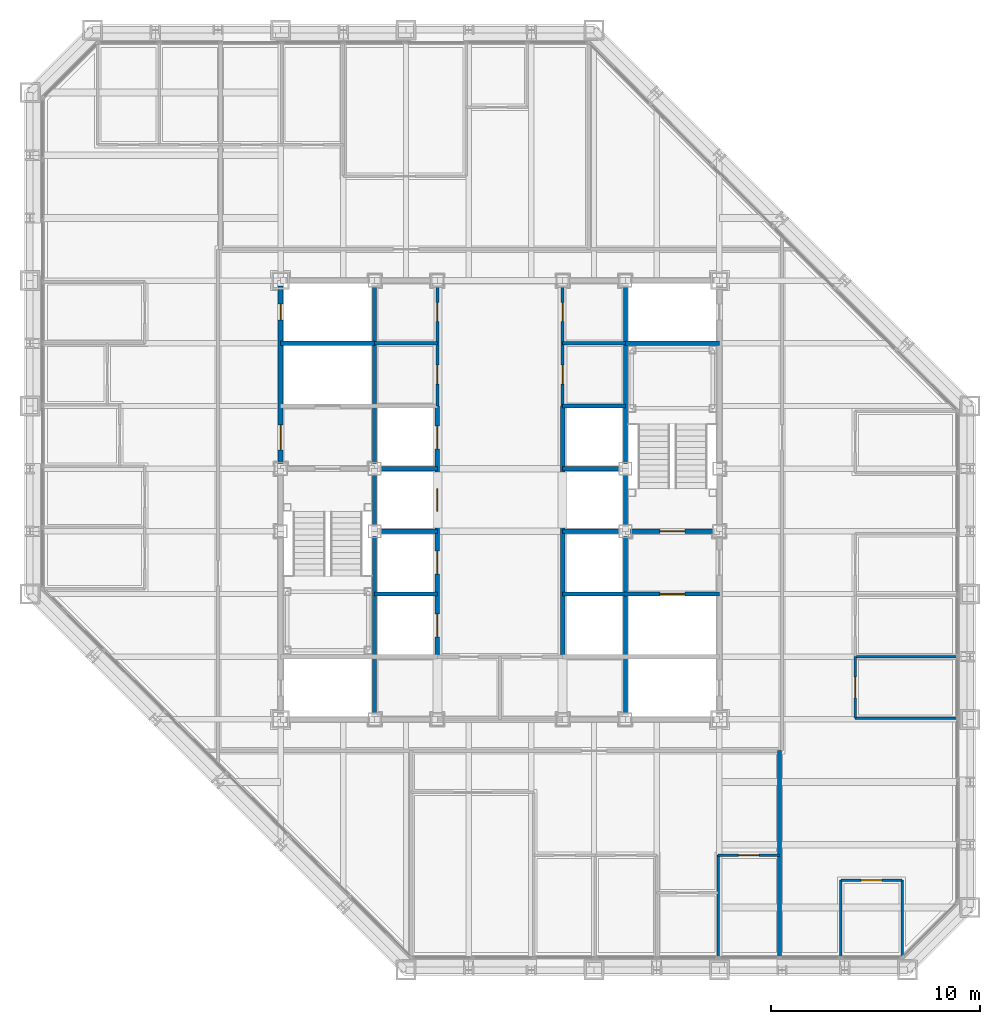
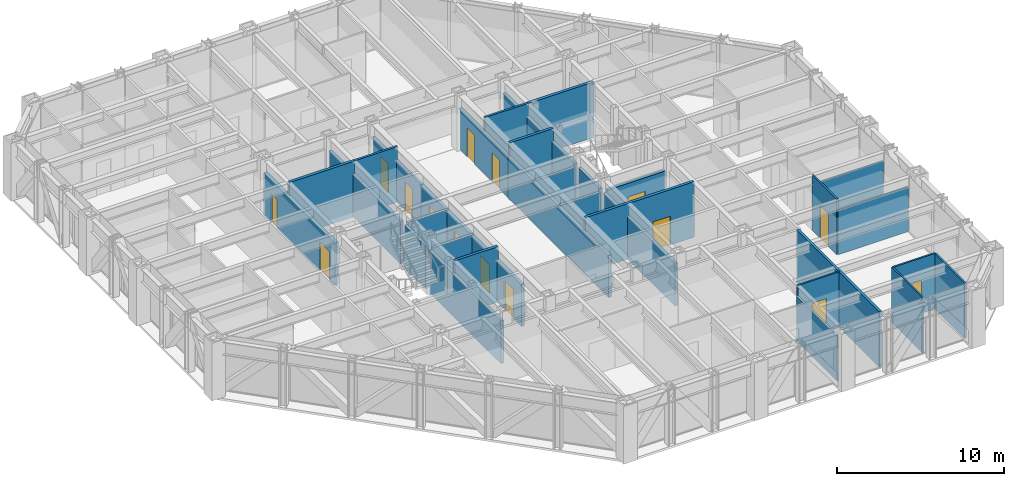
# One storey, part 11 of 16: 32 walls, 15 doors, 15 openings.
"""IFC4 building model written with IfcOpenShell, lengths in metres."""

from ifc_helpers import new_model, si_unit, direction, frame, frame_2d, origin, place, context, subcontext, project, spatial, rectangle, extrude, material, layer, layer_set, type_object, element, fill, save


model = new_model("IFC4")

# Units and contexts
model_context = context("Model", 3, precision=1e-05, world=origin(), true_north=direction((0.0, 1.0)))
body_context = subcontext(model_context, "Body", "Model", "MODEL_VIEW")
ifc_project = project(units=[si_unit("LENGTHUNIT", "METRE"), si_unit("AREAUNIT", "SQUARE_METRE"), si_unit("VOLUMEUNIT", "CUBIC_METRE"), si_unit("PLANEANGLEUNIT", "RADIAN"), si_unit("MASSUNIT", "GRAM", prefix="KILO")], contexts=[model_context])

# Site, building, storey
site_placement = place(None, origin())
site = spatial("IfcSite", under=ifc_project, at=site_placement, CompositionType="ELEMENT")
building_placement = place(site_placement, origin())
building = spatial("IfcBuilding", under=site, at=building_placement, Name="Chuquiago Exchange Tower", CompositionType="ELEMENT")
storey_placement = place(building_placement, frame((0.0, 0.0, 144.60009765625)))
storey = spatial("IfcBuildingStorey", under=building, at=storey_placement, Name="L31", CompositionType="ELEMENT", Elevation=144.60009765625)

# Wall, openings, doors
ifc_material_1 = material(Name="Concrete masonry, fully grouted", Category="masonry")
ifc_layer_1 = layer(ifc_material_1, 0.25)
ifc_layer_set_1 = layer_set([ifc_layer_1], Name="W1 core wall 250")
wall_type_1 = type_object("IfcWallType", Name="W1 core wall 250", PredefinedType="SOLIDWALL", material=ifc_layer_set_1)
wall_1_placement = place(storey_placement, frame((12.0, 24.25, 0.0), z_axis=(0.0, 0.0, 1.0), x_axis=(0.0, 1.0, 0.0)))
wall_1 = element("IfcWall", 1, at=wall_1_placement, inside=storey, type_object=wall_type_1, Name="CW-L31-00-2", PredefinedType="SOLIDWALL", context=body_context, shape_type="SweptSolid", body=[
    extrude(rectangle(XDim=8.5, YDim=0.25, at=frame_2d((4.25, 0.0))), origin(), (0.0, 0.0, 1.0), 3.11279296875),
])
opening_1_placement = place(wall_1_placement, frame((0.64990234375, 0.0, 0.0)))
opening_1 = element("IfcOpeningElement", 2, at=opening_1_placement, cuts=wall_1, Name="Opening L31-002", PredefinedType="OPENING", context=body_context, shape_type="SweptSolid", body=[
    extrude(rectangle(XDim=1.199951171875, YDim=2.10009765625, at=frame_2d((0.60009765625, 1.050048828125))), frame((0.0, 0.135009765625, 0.0), z_axis=(0.0, -1.0, 0.0), x_axis=(1.0, 0.0, 0.0)), (0.0, 0.0, 1.0), 0.27001953125),
])
opening_2_placement = place(wall_1_placement, frame((6.875, 0.0, 0.0)))
opening_2 = element("IfcOpeningElement", 3, at=opening_2_placement, cuts=wall_1, Name="Opening L31-008", PredefinedType="OPENING", context=body_context, shape_type="SweptSolid", body=[
    extrude(rectangle(XDim=0.75, YDim=2.10009765625, at=frame_2d((0.375, 1.050048828125))), frame((0.0, 0.135009765625, 0.0), z_axis=(0.0, -1.0, 0.0), x_axis=(1.0, 0.0, 0.0)), (0.0, 0.0, 1.0), 0.27001953125),
])
ifc_material_2 = material(Name="Steel door, painted", Category="steel")
door_type_1 = type_object("IfcDoorType", Name="D5 firefighting lobby door 1200x2100", OperationType="SINGLE_SWING_LEFT", PredefinedType="DOOR", material=ifc_material_2)
door_1_placement = place(opening_1_placement, frame((1.199951171875, 0.0, 0.0), z_axis=(0.0, 0.0, 1.0), x_axis=(-1.0, 0.0, 0.0)))
door_1 = element("IfcDoor", 4, at=door_1_placement, inside=storey, type_object=door_type_1, Name="Firefighting lobby 1 door", OperationType="SINGLE_SWING_RIGHT", OverallHeight=2.10009765625, OverallWidth=1.199951171875, PredefinedType="DOOR", context=body_context, shape_type="SweptSolid", body=[
    extrude(rectangle(XDim=1.199951171875, YDim=2.10009765625, at=frame_2d((0.60009765625, 1.050048828125))), frame((0.0, 0.02490234375, 0.0), z_axis=(0.0, -1.0, 0.0), x_axis=(1.0, 0.0, 0.0)), (0.0, 0.0, 1.0), 0.050048828125),
])
fill(opening_1, door_1)
ifc_material_3 = material(Name="Steel door, painted", Category="steel")
door_type_2 = type_object("IfcDoorType", Name="D6 riser access door 750x2100", OperationType="SINGLE_SWING_LEFT", PredefinedType="DOOR", material=ifc_material_3)
door_2_placement = place(opening_2_placement, origin())
door_2 = element("IfcDoor", 5, at=door_2_placement, inside=storey, type_object=door_type_2, Name="Riser RW2 door", OperationType="SINGLE_SWING_RIGHT", OverallHeight=2.10009765625, OverallWidth=0.75, PredefinedType="DOOR", context=body_context, shape_type="SweptSolid", body=[
    extrude(rectangle(XDim=0.75, YDim=2.10009765625, at=frame_2d((0.375, 1.050048828125))), frame((0.0, 0.02490234375, 0.0), z_axis=(0.0, -1.0, 0.0), x_axis=(1.0, 0.0, 0.0)), (0.0, 0.0, 1.0), 0.050048828125),
])
fill(opening_2, door_2)

# Walls
ifc_material_4 = material(Name="Gypsum board on twin steel studs, acoustic insulation", Category="steel")
ifc_layer_2 = layer(ifc_material_4, 0.175048828125)
ifc_layer_set_2 = layer_set([ifc_layer_2], Name="W12 tenant demising wall 175")
wall_type_2 = type_object("IfcWallType", Name="W12 tenant demising wall 175", PredefinedType="PARTITIONING", material=ifc_layer_set_2)
wall_2_placement = place(storey_placement, frame((35.875732421875, 0.652587890625, 0.0), z_axis=(0.0, 0.0, 1.0), x_axis=(0.0, 1.0, 0.0)))
element("IfcWall", 6, at=wall_2_placement, inside=storey, type_object=wall_type_2, Name="PW-L31-DS03588", PredefinedType="PARTITIONING", context=body_context, shape_type="SweptSolid", body=[
    extrude(rectangle(XDim=9.847412109375, YDim=0.175048828125, at=frame_2d((4.923828125, 0.0))), origin(), (0.0, 0.0, 1.0), 4.039794921875),
])
ifc_material_5 = material(Name="Concrete masonry, fully grouted", Category="masonry")
ifc_layer_3 = layer(ifc_material_5, 0.199951171875)
ifc_layer_set_3 = layer_set([ifc_layer_3], Name="W2 shaft wall 200")
wall_type_3 = type_object("IfcWallType", Name="W2 shaft wall 200", PredefinedType="SOLIDWALL", material=ifc_layer_set_3)
for number, where, z_axis, x_axis, name in (
    (7, (16.75, 24.0, 0.0), (0.0, 0.0, 1.0), (1.0, 0.0, 0.0), "CW-L31-05-1"),
    (8, (25.5, 24.0, 0.0), (0.0, 0.0, 1.0), (1.0, 0.0, 0.0), "CW-L31-06-0"),
):
    element("IfcWall", number, at=place(storey_placement, frame(where, z_axis=z_axis, x_axis=x_axis)), inside=storey, type_object=wall_type_3, Name=name, PredefinedType="SOLIDWALL", context=body_context, shape_type="SweptSolid", body=[
        extrude(rectangle(XDim=2.75, YDim=0.199951171875, at=frame_2d((1.375, 0.0))), origin(), (0.0, 0.0, 1.0), 3.08984375),
    ])
wall_3_placement = place(storey_placement, frame((25.5, 27.0, 0.0), z_axis=(0.0, 0.0, 1.0), x_axis=(1.0, 0.0, 0.0)))
element("IfcWall", 9, at=wall_3_placement, inside=storey, type_object=wall_type_3, Name="CW-L31-08-0", PredefinedType="SOLIDWALL", context=body_context, shape_type="SweptSolid", body=[
    extrude(rectangle(XDim=3.0, YDim=0.199951171875, at=frame_2d((1.5, 0.0))), origin(), (0.0, 0.0, 1.0), 4.039794921875),
])
for number, where, z_axis, x_axis, name in (
    (10, (12.0, 30.0, 0.0), (0.0, 0.0, 1.0), (1.0, 0.0, 0.0), "CW-L31-09-0"),
    (11, (28.5, 30.0, 0.0), (0.0, 0.0, 1.0), (1.0, 0.0, 0.0), "CW-L31-10-0"),
):
    element("IfcWall", number, at=place(storey_placement, frame(where, z_axis=z_axis, x_axis=x_axis)), inside=storey, type_object=wall_type_3, Name=name, PredefinedType="SOLIDWALL", context=body_context, shape_type="SweptSolid", body=[
        extrude(rectangle(XDim=4.5, YDim=0.199951171875, at=frame_2d((2.25, 0.0))), origin(), (0.0, 0.0, 1.0), 4.039794921875),
    ])
wall_4_placement = place(storey_placement, frame((16.5, 12.25, 0.0), z_axis=(0.0, 0.0, 1.0), x_axis=(0.0, 1.0, 0.0)))
element("IfcWall", 12, at=wall_4_placement, inside=storey, type_object=wall_type_3, Name="CW-L31-13-0", PredefinedType="SOLIDWALL", context=body_context, shape_type="SweptSolid", body=[
    extrude(rectangle(XDim=8.5, YDim=0.199951171875, at=frame_2d((4.25, 0.0))), origin(), (0.0, 0.0, 1.0), 3.11279296875),
])
wall_5_placement = place(storey_placement, frame((16.5, 21.25, 0.0), z_axis=(0.0, 0.0, 1.0), x_axis=(0.0, 1.0, 0.0)))
element("IfcWall", 13, at=wall_5_placement, inside=storey, type_object=wall_type_3, Name="CW-L31-13-1", PredefinedType="SOLIDWALL", context=body_context, shape_type="SweptSolid", body=[
    extrude(rectangle(XDim=2.5, YDim=0.199951171875, at=frame_2d((1.25, 0.0))), origin(), (0.0, 0.0, 1.0), 3.11279296875),
])
wall_6_placement = place(storey_placement, frame((16.5, 24.25, 0.0), z_axis=(0.0, 0.0, 1.0), x_axis=(0.0, 1.0, 0.0)))
element("IfcWall", 14, at=wall_6_placement, inside=storey, type_object=wall_type_3, Name="CW-L31-13-2", PredefinedType="SOLIDWALL", context=body_context, shape_type="SweptSolid", body=[
    extrude(rectangle(XDim=8.5, YDim=0.199951171875, at=frame_2d((4.25, 0.0))), origin(), (0.0, 0.0, 1.0), 3.11279296875),
])
wall_7_placement = place(storey_placement, frame((16.5, 18.0, 0.0), z_axis=(0.0, 0.0, 1.0), x_axis=(1.0, 0.0, 0.0)))
element("IfcWall", 15, at=wall_7_placement, inside=storey, type_object=wall_type_3, Name="CW-L31-14-0", PredefinedType="SOLIDWALL", context=body_context, shape_type="SweptSolid", body=[
    extrude(rectangle(XDim=3.0, YDim=0.199951171875, at=frame_2d((1.5, 0.0))), origin(), (0.0, 0.0, 1.0), 4.039794921875),
])

# Wall, opening, door
wall_8_placement = place(storey_placement, frame((25.5, 18.0, 0.0), z_axis=(0.0, 0.0, 1.0), x_axis=(1.0, 0.0, 0.0)))
wall_8 = element("IfcWall", 16, at=wall_8_placement, inside=storey, type_object=wall_type_3, Name="CW-L31-15-0", PredefinedType="SOLIDWALL", context=body_context, shape_type="SweptSolid", body=[
    extrude(rectangle(XDim=7.5, YDim=0.199951171875, at=frame_2d((3.75, 0.0))), origin(), (0.0, 0.0, 1.0), 4.039794921875),
])
opening_3_placement = place(wall_8_placement, frame((4.64990234375, 0.0, 0.0)))
opening_3 = element("IfcOpeningElement", 17, at=opening_3_placement, cuts=wall_8, Name="Opening L31-006", PredefinedType="OPENING", context=body_context, shape_type="SweptSolid", body=[
    extrude(rectangle(XDim=1.199951171875, YDim=2.10009765625, at=frame_2d((0.60009765625, 1.050048828125))), frame((0.0, 0.10986328125, 0.0), z_axis=(0.0, -1.0, 0.0), x_axis=(1.0, 0.0, 0.0)), (0.0, 0.0, 1.0), 0.219970703125),
])
ifc_material_6 = material(Name="Stainless steel lift landing door", Category="steel")
door_type_3 = type_object("IfcDoorType", Name="LD2 firefighting lift landing door 1200x2100", OperationType="DOUBLE_DOOR_SLIDING", PredefinedType="DOOR", material=ifc_material_6)
door_3_placement = place(opening_3_placement, origin())
door_3 = element("IfcDoor", 18, at=door_3_placement, inside=storey, type_object=door_type_3, Name="Firefighting lift FL2 landing door", OperationType="DOUBLE_DOOR_SLIDING", OverallHeight=2.10009765625, OverallWidth=1.199951171875, PredefinedType="DOOR", context=body_context, shape_type="SweptSolid", body=[
    extrude(rectangle(XDim=1.199951171875, YDim=2.10009765625, at=frame_2d((0.60009765625, 1.050048828125))), frame((0.0, 0.02490234375, 0.0), z_axis=(0.0, -1.0, 0.0), x_axis=(1.0, 0.0, 0.0)), (0.0, 0.0, 1.0), 0.050048828125),
])
fill(opening_3, door_3)

# Walls
for number, where, z_axis, x_axis, name in (
    (19, (16.75, 21.0, 0.0), (0.0, 0.0, 1.0), (1.0, 0.0, 0.0), "CW-L31-16-0"),
    (20, (25.5, 21.0, 0.0), (0.0, 0.0, 1.0), (1.0, 0.0, 0.0), "CW-L31-17-0"),
):
    element("IfcWall", number, at=place(storey_placement, frame(where, z_axis=z_axis, x_axis=x_axis)), inside=storey, type_object=wall_type_3, Name=name, PredefinedType="SOLIDWALL", context=body_context, shape_type="SweptSolid", body=[
        extrude(rectangle(XDim=2.75, YDim=0.199951171875, at=frame_2d((1.375, 0.0))), origin(), (0.0, 0.0, 1.0), 3.08984375),
    ])

# Wall, opening, door
wall_9_placement = place(storey_placement, frame((28.75, 21.0, 0.0), z_axis=(0.0, 0.0, 1.0), x_axis=(1.0, 0.0, 0.0)))
wall_9 = element("IfcWall", 21, at=wall_9_placement, inside=storey, type_object=wall_type_3, Name="CW-L31-17-1", PredefinedType="SOLIDWALL", context=body_context, shape_type="SweptSolid", body=[
    extrude(rectangle(XDim=4.0, YDim=0.199951171875, at=frame_2d((2.0, 0.0))), origin(), (0.0, 0.0, 1.0), 3.08984375),
])
opening_4_placement = place(wall_9_placement, frame((1.39990234375, 0.0, 0.0)))
opening_4 = element("IfcOpeningElement", 22, at=opening_4_placement, cuts=wall_9, Name="Opening L31-003", PredefinedType="OPENING", context=body_context, shape_type="SweptSolid", body=[
    extrude(rectangle(XDim=1.199951171875, YDim=2.10009765625, at=frame_2d((0.60009765625, 1.050048828125))), frame((0.0, 0.10986328125, 0.0), z_axis=(0.0, -1.0, 0.0), x_axis=(1.0, 0.0, 0.0)), (0.0, 0.0, 1.0), 0.219970703125),
])
ifc_material_7 = material(Name="Steel door, painted", Category="steel")
door_type_4 = type_object("IfcDoorType", Name="D4 stair door 1200x2100", OperationType="SINGLE_SWING_LEFT", PredefinedType="DOOR", material=ifc_material_7)
door_4_placement = place(opening_4_placement, origin())
door_4 = element("IfcDoor", 23, at=door_4_placement, inside=storey, type_object=door_type_4, Name="Stair ST2 door", OperationType="SINGLE_SWING_LEFT", OverallHeight=2.10009765625, OverallWidth=1.199951171875, PredefinedType="DOOR", context=body_context, shape_type="SweptSolid", body=[
    extrude(rectangle(XDim=1.199951171875, YDim=2.10009765625, at=frame_2d((0.60009765625, 1.050048828125))), frame((0.0, 0.02490234375, 0.0), z_axis=(0.0, -1.0, 0.0), x_axis=(1.0, 0.0, 0.0)), (0.0, 0.0, 1.0), 0.050048828125),
])
fill(opening_4, door_4)

# Wall, openings, doors
wall_10_placement = place(storey_placement, frame((19.5, 15.0, 0.0), z_axis=(0.0, 0.0, 1.0), x_axis=(0.0, 1.0, 0.0)))
wall_10 = element("IfcWall", 24, at=wall_10_placement, inside=storey, type_object=wall_type_3, Name="CW-L31-19-0", PredefinedType="SOLIDWALL", context=body_context, shape_type="SweptSolid", body=[
    extrude(rectangle(XDim=12.0, YDim=0.199951171875, at=frame_2d((6.0, 0.0))), origin(), (0.0, 0.0, 1.0), 3.064453125),
])
opening_5_placement = place(wall_10_placement, frame((0.949951171875, 0.0, 0.0)))
opening_5 = element("IfcOpeningElement", 25, at=opening_5_placement, cuts=wall_10, Name="Opening L31-017", PredefinedType="OPENING", context=body_context, shape_type="SweptSolid", body=[
    extrude(rectangle(XDim=1.10009765625, YDim=2.10009765625, at=frame_2d((0.550048828125, 1.050048828125))), frame((0.0, 0.10986328125, 0.0), z_axis=(0.0, -1.0, 0.0), x_axis=(1.0, 0.0, 0.0)), (0.0, 0.0, 1.0), 0.219970703125),
])
opening_6_placement = place(wall_10_placement, frame((3.949951171875, 0.0, 0.0)))
opening_6 = element("IfcOpeningElement", 26, at=opening_6_placement, cuts=wall_10, Name="Opening L31-018", PredefinedType="OPENING", context=body_context, shape_type="SweptSolid", body=[
    extrude(rectangle(XDim=1.10009765625, YDim=2.10009765625, at=frame_2d((0.550048828125, 1.050048828125))), frame((0.0, 0.10986328125, 0.0), z_axis=(0.0, -1.0, 0.0), x_axis=(1.0, 0.0, 0.0)), (0.0, 0.0, 1.0), 0.219970703125),
])
opening_7_placement = place(wall_10_placement, frame((6.949951171875, 0.0, 0.0)))
opening_7 = element("IfcOpeningElement", 27, at=opening_7_placement, cuts=wall_10, Name="Opening L31-019", PredefinedType="OPENING", context=body_context, shape_type="SweptSolid", body=[
    extrude(rectangle(XDim=1.10009765625, YDim=2.10009765625, at=frame_2d((0.550048828125, 1.050048828125))), frame((0.0, 0.10986328125, 0.0), z_axis=(0.0, -1.0, 0.0), x_axis=(1.0, 0.0, 0.0)), (0.0, 0.0, 1.0), 0.219970703125),
])
opening_8_placement = place(wall_10_placement, frame((9.949951171875, 0.0, 0.0)))
opening_8 = element("IfcOpeningElement", 28, at=opening_8_placement, cuts=wall_10, Name="Opening L31-020", PredefinedType="OPENING", context=body_context, shape_type="SweptSolid", body=[
    extrude(rectangle(XDim=1.10009765625, YDim=2.10009765625, at=frame_2d((0.550048828125, 1.050048828125))), frame((0.0, 0.10986328125, 0.0), z_axis=(0.0, -1.0, 0.0), x_axis=(1.0, 0.0, 0.0)), (0.0, 0.0, 1.0), 0.219970703125),
])
ifc_material_8 = material(Name="Stainless steel lift landing door", Category="steel")
door_type_5 = type_object("IfcDoorType", Name="LD1 lift landing door 1100x2100", OperationType="DOUBLE_DOOR_SLIDING", PredefinedType="DOOR", material=ifc_material_8)
door_5_placement = place(opening_5_placement, origin())
door_5 = element("IfcDoor", 29, at=door_5_placement, inside=storey, type_object=door_type_5, Name="Lift LB1 landing door", OperationType="DOUBLE_DOOR_SLIDING", OverallHeight=2.10009765625, OverallWidth=1.10009765625, PredefinedType="DOOR", context=body_context, shape_type="SweptSolid", body=[
    extrude(rectangle(XDim=1.10009765625, YDim=2.10009765625, at=frame_2d((0.550048828125, 1.050048828125))), frame((0.0, 0.02490234375, 0.0), z_axis=(0.0, -1.0, 0.0), x_axis=(1.0, 0.0, 0.0)), (0.0, 0.0, 1.0), 0.050048828125),
])
fill(opening_5, door_5)
door_6_placement = place(opening_6_placement, origin())
door_6 = element("IfcDoor", 30, at=door_6_placement, inside=storey, type_object=door_type_5, Name="Lift LB2 landing door", OperationType="DOUBLE_DOOR_SLIDING", OverallHeight=2.10009765625, OverallWidth=1.10009765625, PredefinedType="DOOR", context=body_context, shape_type="SweptSolid", body=[
    extrude(rectangle(XDim=1.10009765625, YDim=2.10009765625, at=frame_2d((0.550048828125, 1.050048828125))), frame((0.0, 0.02490234375, 0.0), z_axis=(0.0, -1.0, 0.0), x_axis=(1.0, 0.0, 0.0)), (0.0, 0.0, 1.0), 0.050048828125),
])
fill(opening_6, door_6)
door_7_placement = place(opening_7_placement, origin())
door_7 = element("IfcDoor", 31, at=door_7_placement, inside=storey, type_object=door_type_5, Name="Lift LB3 landing door", OperationType="DOUBLE_DOOR_SLIDING", OverallHeight=2.10009765625, OverallWidth=1.10009765625, PredefinedType="DOOR", context=body_context, shape_type="SweptSolid", body=[
    extrude(rectangle(XDim=1.10009765625, YDim=2.10009765625, at=frame_2d((0.550048828125, 1.050048828125))), frame((0.0, 0.02490234375, 0.0), z_axis=(0.0, -1.0, 0.0), x_axis=(1.0, 0.0, 0.0)), (0.0, 0.0, 1.0), 0.050048828125),
])
fill(opening_7, door_7)
door_8_placement = place(opening_8_placement, origin())
door_8 = element("IfcDoor", 32, at=door_8_placement, inside=storey, type_object=door_type_5, Name="Lift LB4 landing door", OperationType="DOUBLE_DOOR_SLIDING", OverallHeight=2.10009765625, OverallWidth=1.10009765625, PredefinedType="DOOR", context=body_context, shape_type="SweptSolid", body=[
    extrude(rectangle(XDim=1.10009765625, YDim=2.10009765625, at=frame_2d((0.550048828125, 1.050048828125))), frame((0.0, 0.02490234375, 0.0), z_axis=(0.0, -1.0, 0.0), x_axis=(1.0, 0.0, 0.0)), (0.0, 0.0, 1.0), 0.050048828125),
])
fill(opening_8, door_8)

# Walls
wall_11_placement = place(storey_placement, frame((25.5, 15.0, 0.0), z_axis=(0.0, 0.0, 1.0), x_axis=(0.0, 1.0, 0.0)))
element("IfcWall", 33, at=wall_11_placement, inside=storey, type_object=wall_type_3, Name="CW-L31-22-0", PredefinedType="SOLIDWALL", context=body_context, shape_type="SweptSolid", body=[
    extrude(rectangle(XDim=12.0, YDim=0.199951171875, at=frame_2d((6.0, 0.0))), origin(), (0.0, 0.0, 1.0), 3.064453125),
])
wall_12_placement = place(storey_placement, frame((28.5, 12.25, 0.0), z_axis=(0.0, 0.0, 1.0), x_axis=(0.0, 1.0, 0.0)))
element("IfcWall", 34, at=wall_12_placement, inside=storey, type_object=wall_type_3, Name="CW-L31-24-0", PredefinedType="SOLIDWALL", context=body_context, shape_type="SweptSolid", body=[
    extrude(rectangle(XDim=8.5, YDim=0.199951171875, at=frame_2d((4.25, 0.0))), origin(), (0.0, 0.0, 1.0), 3.11279296875),
])
wall_13_placement = place(storey_placement, frame((28.5, 21.25, 0.0), z_axis=(0.0, 0.0, 1.0), x_axis=(0.0, 1.0, 0.0)))
element("IfcWall", 35, at=wall_13_placement, inside=storey, type_object=wall_type_3, Name="CW-L31-24-1", PredefinedType="SOLIDWALL", context=body_context, shape_type="SweptSolid", body=[
    extrude(rectangle(XDim=2.5, YDim=0.199951171875, at=frame_2d((1.25, 0.0))), origin(), (0.0, 0.0, 1.0), 3.11279296875),
])
wall_14_placement = place(storey_placement, frame((28.5, 24.25, 0.0), z_axis=(0.0, 0.0, 1.0), x_axis=(0.0, 1.0, 0.0)))
element("IfcWall", 36, at=wall_14_placement, inside=storey, type_object=wall_type_3, Name="CW-L31-24-2", PredefinedType="SOLIDWALL", context=body_context, shape_type="SweptSolid", body=[
    extrude(rectangle(XDim=8.5, YDim=0.199951171875, at=frame_2d((4.25, 0.0))), origin(), (0.0, 0.0, 1.0), 3.11279296875),
])

# Wall, openings, doors
ifc_material_9 = material(Name="Gypsum board on steel studs", Category="steel")
ifc_layer_4 = layer(ifc_material_9, 0.14990234375)
ifc_layer_set_4 = layer_set([ifc_layer_4], Name="W3 core partition 150")
wall_type_4 = type_object("IfcWallType", Name="W3 core partition 150", PredefinedType="PARTITIONING", material=ifc_layer_set_4)
wall_15_placement = place(storey_placement, frame((19.5, 27.0, 0.0), z_axis=(0.0, 0.0, 1.0), x_axis=(0.0, 1.0, 0.0)))
wall_15 = element("IfcWall", 37, at=wall_15_placement, inside=storey, type_object=wall_type_4, Name="CW-L31-20-0", PredefinedType="PARTITIONING", context=body_context, shape_type="SweptSolid", body=[
    extrude(rectangle(XDim=5.75, YDim=0.14990234375, at=frame_2d((2.875, 0.0))), origin(), (0.0, 0.0, 1.0), 3.064453125),
])
opening_9_placement = place(wall_15_placement, frame((1.050048828125, 0.0, 0.0)))
opening_9 = element("IfcOpeningElement", 38, at=opening_9_placement, cuts=wall_15, Name="Opening L31-011", PredefinedType="OPENING", context=body_context, shape_type="SweptSolid", body=[
    extrude(rectangle(XDim=0.89990234375, YDim=2.10009765625, at=frame_2d((0.449951171875, 1.050048828125))), frame((0.0, 0.0849609375, 0.0), z_axis=(0.0, -1.0, 0.0), x_axis=(1.0, 0.0, 0.0)), (0.0, 0.0, 1.0), 0.169921875),
])
opening_10_placement = place(wall_15_placement, frame((4.050048828125, 0.0, 0.0)))
opening_10 = element("IfcOpeningElement", 39, at=opening_10_placement, cuts=wall_15, Name="Opening L31-012", PredefinedType="OPENING", context=body_context, shape_type="SweptSolid", body=[
    extrude(rectangle(XDim=0.89990234375, YDim=2.10009765625, at=frame_2d((0.449951171875, 1.050048828125))), frame((0.0, 0.0849609375, 0.0), z_axis=(0.0, -1.0, 0.0), x_axis=(1.0, 0.0, 0.0)), (0.0, 0.0, 1.0), 0.169921875),
])
ifc_material_10 = material(Name="Timber door, laminate faced", Category="wood")
door_type_6 = type_object("IfcDoorType", Name="D16 core room door 900x2100", OperationType="SINGLE_SWING_LEFT", PredefinedType="DOOR", material=ifc_material_10)
door_9_placement = place(opening_10_placement, origin())
door_9 = element("IfcDoor", 40, at=door_9_placement, inside=storey, type_object=door_type_6, Name="Staff shower room door", OperationType="SINGLE_SWING_RIGHT", OverallHeight=2.10009765625, OverallWidth=0.89990234375, PredefinedType="DOOR", context=body_context, shape_type="SweptSolid", body=[
    extrude(rectangle(XDim=0.89990234375, YDim=2.10009765625, at=frame_2d((0.449951171875, 1.050048828125))), frame((0.0, 0.02490234375, 0.0), z_axis=(0.0, -1.0, 0.0), x_axis=(1.0, 0.0, 0.0)), (0.0, 0.0, 1.0), 0.050048828125),
])
fill(opening_10, door_9)
ifc_material_11 = material(Name="Timber door, laminate faced", Category="wood")
door_type_7 = type_object("IfcDoorType", Name="D7 toilet door 900x2100", OperationType="SINGLE_SWING_LEFT", PredefinedType="DOOR", material=ifc_material_11)
door_10_placement = place(opening_9_placement, origin())
door_10 = element("IfcDoor", 41, at=door_10_placement, inside=storey, type_object=door_type_7, Name="Male WC door", OperationType="SINGLE_SWING_LEFT", OverallHeight=2.10009765625, OverallWidth=0.89990234375, PredefinedType="DOOR", context=body_context, shape_type="SweptSolid", body=[
    extrude(rectangle(XDim=0.89990234375, YDim=2.10009765625, at=frame_2d((0.449951171875, 1.050048828125))), frame((0.0, 0.02490234375, 0.0), z_axis=(0.0, -1.0, 0.0), x_axis=(1.0, 0.0, 0.0)), (0.0, 0.0, 1.0), 0.050048828125),
])
fill(opening_9, door_10)

wall_16_placement = place(storey_placement, frame((25.5, 27.0, 0.0), z_axis=(0.0, 0.0, 1.0), x_axis=(0.0, 1.0, 0.0)))
wall_16 = element("IfcWall", 42, at=wall_16_placement, inside=storey, type_object=wall_type_4, Name="CW-L31-23-0", PredefinedType="PARTITIONING", context=body_context, shape_type="SweptSolid", body=[
    extrude(rectangle(XDim=5.75, YDim=0.14990234375, at=frame_2d((2.875, 0.0))), origin(), (0.0, 0.0, 1.0), 3.064453125),
])
opening_11_placement = place(wall_16_placement, frame((1.050048828125, 0.0, 0.0)))
opening_11 = element("IfcOpeningElement", 43, at=opening_11_placement, cuts=wall_16, Name="Opening L31-013", PredefinedType="OPENING", context=body_context, shape_type="SweptSolid", body=[
    extrude(rectangle(XDim=0.89990234375, YDim=2.10009765625, at=frame_2d((0.449951171875, 1.050048828125))), frame((0.0, 0.0849609375, 0.0), z_axis=(0.0, -1.0, 0.0), x_axis=(1.0, 0.0, 0.0)), (0.0, 0.0, 1.0), 0.169921875),
])
opening_12_placement = place(wall_16_placement, frame((4.050048828125, 0.0, 0.0)))
opening_12 = element("IfcOpeningElement", 44, at=opening_12_placement, cuts=wall_16, Name="Opening L31-014", PredefinedType="OPENING", context=body_context, shape_type="SweptSolid", body=[
    extrude(rectangle(XDim=0.89990234375, YDim=2.10009765625, at=frame_2d((0.449951171875, 1.050048828125))), frame((0.0, 0.0849609375, 0.0), z_axis=(0.0, -1.0, 0.0), x_axis=(1.0, 0.0, 0.0)), (0.0, 0.0, 1.0), 0.169921875),
])
door_11_placement = place(opening_12_placement, frame((0.89990234375, 0.0, 0.0), z_axis=(0.0, 0.0, 1.0), x_axis=(-1.0, 0.0, 0.0)))
door_11 = element("IfcDoor", 45, at=door_11_placement, inside=storey, type_object=door_type_6, Name="Baby change room door", OperationType="SINGLE_SWING_LEFT", OverallHeight=2.10009765625, OverallWidth=0.89990234375, PredefinedType="DOOR", context=body_context, shape_type="SweptSolid", body=[
    extrude(rectangle(XDim=0.89990234375, YDim=2.10009765625, at=frame_2d((0.449951171875, 1.050048828125))), frame((0.0, 0.02490234375, 0.0), z_axis=(0.0, -1.0, 0.0), x_axis=(1.0, 0.0, 0.0)), (0.0, 0.0, 1.0), 0.050048828125),
])
fill(opening_12, door_11)
door_12_placement = place(opening_11_placement, frame((0.89990234375, 0.0, 0.0), z_axis=(0.0, 0.0, 1.0), x_axis=(-1.0, 0.0, 0.0)))
door_12 = element("IfcDoor", 46, at=door_12_placement, inside=storey, type_object=door_type_7, Name="Female WC door", OperationType="SINGLE_SWING_RIGHT", OverallHeight=2.10009765625, OverallWidth=0.89990234375, PredefinedType="DOOR", context=body_context, shape_type="SweptSolid", body=[
    extrude(rectangle(XDim=0.89990234375, YDim=2.10009765625, at=frame_2d((0.449951171875, 1.050048828125))), frame((0.0, 0.02490234375, 0.0), z_axis=(0.0, -1.0, 0.0), x_axis=(1.0, 0.0, 0.0)), (0.0, 0.0, 1.0), 0.050048828125),
])
fill(opening_11, door_12)

# Walls
for number, where, z_axis, x_axis, name in (
    (47, (16.5, 30.0, 0.0), (0.0, 0.0, 1.0), (1.0, 0.0, 0.0), "CW-L31-WCMS"),
    (48, (25.5, 30.0, 0.0), (0.0, 0.0, 1.0), (1.0, 0.0, 0.0), "CW-L31-WCFS"),
):
    element("IfcWall", number, at=place(storey_placement, frame(where, z_axis=z_axis, x_axis=x_axis)), inside=storey, type_object=wall_type_4, Name=name, PredefinedType="PARTITIONING", context=body_context, shape_type="SweptSolid", body=[
        extrude(rectangle(XDim=3.0, YDim=0.14990234375, at=frame_2d((1.5, 0.0))), origin(), (0.0, 0.0, 1.0), 4.039794921875),
    ])
ifc_material_12 = material(Name="Gypsum board on steel studs", Category="steel")
ifc_layer_5 = layer(ifc_material_12, 0.1201171875)
ifc_layer_set_5 = layer_set([ifc_layer_5], Name="W4 partition 120")
wall_type_5 = type_object("IfcWallType", Name="W4 partition 120", PredefinedType="PARTITIONING", material=ifc_layer_set_5)
wall_17_placement = place(storey_placement, frame((32.93798828125, 0.652587890625, 0.0), z_axis=(0.0, 0.0, 1.0), x_axis=(0.0, 1.0, 0.0)))
element("IfcWall", 49, at=wall_17_placement, inside=storey, type_object=wall_type_5, Name="PW-L31-S03294", PredefinedType="PARTITIONING", context=body_context, shape_type="SweptSolid", body=[
    extrude(rectangle(XDim=4.847412109375, YDim=0.1201171875, at=frame_2d((2.423828125, 0.0))), origin(), (0.0, 0.0, 1.0), 3.270263671875),
])
wall_18_placement = place(storey_placement, frame((38.813720703125, 0.652587890625, 0.0), z_axis=(0.0, 0.0, 1.0), x_axis=(0.0, 1.0, 0.0)))
element("IfcWall", 50, at=wall_18_placement, inside=storey, type_object=wall_type_5, Name="PW-L31-S03881", PredefinedType="PARTITIONING", context=body_context, shape_type="SweptSolid", body=[
    extrude(rectangle(XDim=3.6474609375, YDim=0.1201171875, at=frame_2d((1.82373046875, 0.0))), origin(), (0.0, 0.0, 1.0), 4.039794921875),
])
wall_19_placement = place(storey_placement, frame((41.75146484375, 0.666015625, 0.0), z_axis=(0.0, 0.0, 1.0), x_axis=(0.0, 1.0, 0.0)))
element("IfcWall", 51, at=wall_19_placement, inside=storey, type_object=wall_type_5, Name="PW-L31-S04175", PredefinedType="PARTITIONING", context=body_context, shape_type="SweptSolid", body=[
    extrude(rectangle(XDim=3.634033203125, YDim=0.1201171875, at=frame_2d((1.81689453125, 0.0))), origin(), (0.0, 0.0, 1.0), 4.039794921875),
])

# Wall, opening, door
wall_20_placement = place(storey_placement, frame((32.93798828125, 5.5, 0.0), z_axis=(0.0, 0.0, 1.0), x_axis=(1.0, 0.0, 0.0)))
wall_20 = element("IfcWall", 52, at=wall_20_placement, inside=storey, type_object=wall_type_5, Name="PW-L31-SF03294", PredefinedType="PARTITIONING", context=body_context, shape_type="SweptSolid", body=[
    extrude(rectangle(XDim=2.937744140625, YDim=0.1201171875, at=frame_2d((1.46875, 0.0))), origin(), (0.0, 0.0, 1.0), 4.039794921875),
])
opening_13_placement = place(wall_20_placement, frame((0.968994140625, 0.0, 0.0)))
opening_13 = element("IfcOpeningElement", 53, at=opening_13_placement, cuts=wall_20, Name="Opening L31-025", PredefinedType="OPENING", context=body_context, shape_type="SweptSolid", body=[
    extrude(rectangle(XDim=1.0, YDim=2.39990234375, at=frame_2d((0.5, 1.199951171875))), frame((0.0, 0.070068359375, 0.0), z_axis=(0.0, -1.0, 0.0), x_axis=(1.0, 0.0, 0.0)), (0.0, 0.0, 1.0), 0.14013671875),
])
ifc_material_13 = material(Name="Timber door, laminate faced", Category="wood")
door_type_8 = type_object("IfcDoorType", Name="D9 room door 1000x2400", OperationType="SINGLE_SWING_LEFT", PredefinedType="DOOR", material=ifc_material_13)
door_13_placement = place(opening_13_placement, frame((1.0, 0.0, 0.0), z_axis=(0.0, 0.0, 1.0), x_axis=(-1.0, 0.0, 0.0)))
door_13 = element("IfcDoor", 54, at=door_13_placement, inside=storey, type_object=door_type_8, Name="Office door", OperationType="SINGLE_SWING_LEFT", OverallHeight=2.39990234375, OverallWidth=1.0, PredefinedType="DOOR", context=body_context, shape_type="SweptSolid", body=[
    extrude(rectangle(XDim=1.0, YDim=2.39990234375, at=frame_2d((0.5, 1.199951171875))), frame((0.0, 0.02490234375, 0.0), z_axis=(0.0, -1.0, 0.0), x_axis=(1.0, 0.0, 0.0)), (0.0, 0.0, 1.0), 0.050048828125),
])
fill(opening_13, door_13)

wall_21_placement = place(storey_placement, frame((38.813720703125, 4.300048828125, 0.0), z_axis=(0.0, 0.0, 1.0), x_axis=(1.0, 0.0, 0.0)))
wall_21 = element("IfcWall", 55, at=wall_21_placement, inside=storey, type_object=wall_type_5, Name="PW-L31-SF03881", PredefinedType="PARTITIONING", context=body_context, shape_type="SweptSolid", body=[
    extrude(rectangle(XDim=2.937744140625, YDim=0.1201171875, at=frame_2d((1.46875, 0.0))), origin(), (0.0, 0.0, 1.0), 4.039794921875),
])
opening_14_placement = place(wall_21_placement, frame((0.968994140625, 0.0, 0.0)))
opening_14 = element("IfcOpeningElement", 56, at=opening_14_placement, cuts=wall_21, Name="Opening L31-026", PredefinedType="OPENING", context=body_context, shape_type="SweptSolid", body=[
    extrude(rectangle(XDim=1.0, YDim=2.39990234375, at=frame_2d((0.5, 1.199951171875))), frame((0.0, 0.070068359375, 0.0), z_axis=(0.0, -1.0, 0.0), x_axis=(1.0, 0.0, 0.0)), (0.0, 0.0, 1.0), 0.14013671875),
])
door_14_placement = place(opening_14_placement, frame((1.0, 0.0, 0.0), z_axis=(0.0, 0.0, 1.0), x_axis=(-1.0, 0.0, 0.0)))
door_14 = element("IfcDoor", 57, at=door_14_placement, inside=storey, type_object=door_type_8, Name="Pantry door", OperationType="SINGLE_SWING_RIGHT", OverallHeight=2.39990234375, OverallWidth=1.0, PredefinedType="DOOR", context=body_context, shape_type="SweptSolid", body=[
    extrude(rectangle(XDim=1.0, YDim=2.39990234375, at=frame_2d((0.5, 1.199951171875))), frame((0.0, 0.02490234375, 0.0), z_axis=(0.0, -1.0, 0.0), x_axis=(1.0, 0.0, 0.0)), (0.0, 0.0, 1.0), 0.050048828125),
])
fill(opening_14, door_14)

# Walls
wall_22_placement = place(storey_placement, frame((44.347412109375, 12.06201171875, 0.0), z_axis=(0.0, 0.0, 1.0), x_axis=(-1.0, 0.0, 0.0)))
element("IfcWall", 58, at=wall_22_placement, inside=storey, type_object=wall_type_5, Name="PW-L31-E01206", PredefinedType="PARTITIONING", context=body_context, shape_type="SweptSolid", body=[
    extrude(rectangle(XDim=4.847412109375, YDim=0.1201171875, at=frame_2d((2.423828125, 0.0))), origin(), (0.0, 0.0, 1.0), 3.270263671875),
])
wall_23_placement = place(storey_placement, frame((44.347412109375, 15.0, 0.0), z_axis=(0.0, 0.0, 1.0), x_axis=(-1.0, 0.0, 0.0)))
element("IfcWall", 59, at=wall_23_placement, inside=storey, type_object=wall_type_5, Name="PW-L31-E01500", PredefinedType="PARTITIONING", context=body_context, shape_type="SweptSolid", body=[
    extrude(rectangle(XDim=4.847412109375, YDim=0.1201171875, at=frame_2d((2.423828125, 0.0))), origin(), (0.0, 0.0, 1.0), 3.356689453125),
])

# Wall, opening, door
wall_24_placement = place(storey_placement, frame((39.5, 12.06201171875, 0.0), z_axis=(0.0, 0.0, 1.0), x_axis=(0.0, 1.0, 0.0)))
wall_24 = element("IfcWall", 60, at=wall_24_placement, inside=storey, type_object=wall_type_5, Name="PW-L31-EF01206", PredefinedType="PARTITIONING", context=body_context, shape_type="SweptSolid", body=[
    extrude(rectangle(XDim=2.93798828125, YDim=0.1201171875, at=frame_2d((1.468994140625, 0.0))), origin(), (0.0, 0.0, 1.0), 4.039794921875),
])
opening_15_placement = place(wall_24_placement, frame((0.968994140625, 0.0, 0.0)))
opening_15 = element("IfcOpeningElement", 61, at=opening_15_placement, cuts=wall_24, Name="Opening L31-027", PredefinedType="OPENING", context=body_context, shape_type="SweptSolid", body=[
    extrude(rectangle(XDim=1.0, YDim=2.39990234375, at=frame_2d((0.5, 1.199951171875))), frame((0.0, 0.070068359375, 0.0), z_axis=(0.0, -1.0, 0.0), x_axis=(1.0, 0.0, 0.0)), (0.0, 0.0, 1.0), 0.14013671875),
])
door_15_placement = place(opening_15_placement, frame((1.0, 0.0, 0.0), z_axis=(0.0, 0.0, 1.0), x_axis=(-1.0, 0.0, 0.0)))
door_15 = element("IfcDoor", 62, at=door_15_placement, inside=storey, type_object=door_type_8, Name="Office door", OperationType="SINGLE_SWING_LEFT", OverallHeight=2.39990234375, OverallWidth=1.0, PredefinedType="DOOR", context=body_context, shape_type="SweptSolid", body=[
    extrude(rectangle(XDim=1.0, YDim=2.39990234375, at=frame_2d((0.5, 1.199951171875))), frame((0.0, 0.02490234375, 0.0), z_axis=(0.0, -1.0, 0.0), x_axis=(1.0, 0.0, 0.0)), (0.0, 0.0, 1.0), 0.050048828125),
])
fill(opening_15, door_15)

save(model, "model.ifc")
